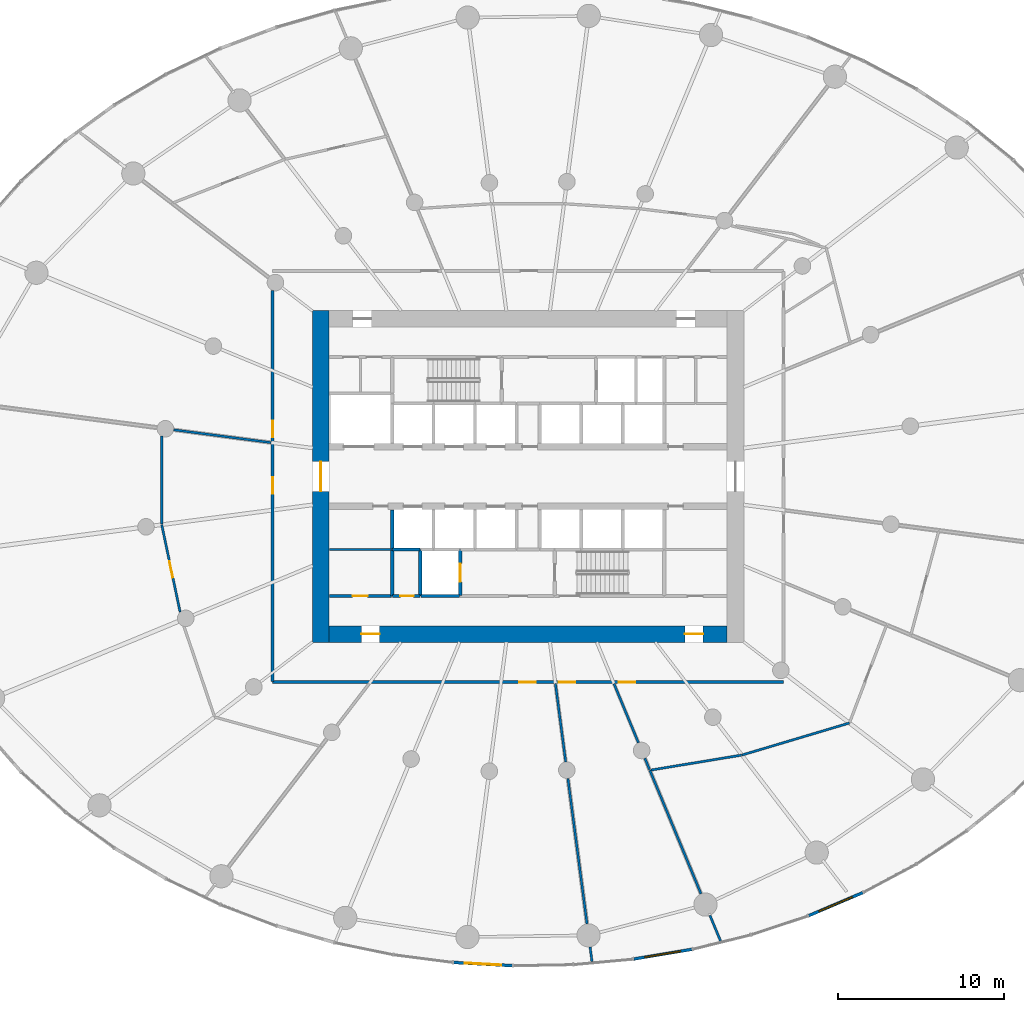
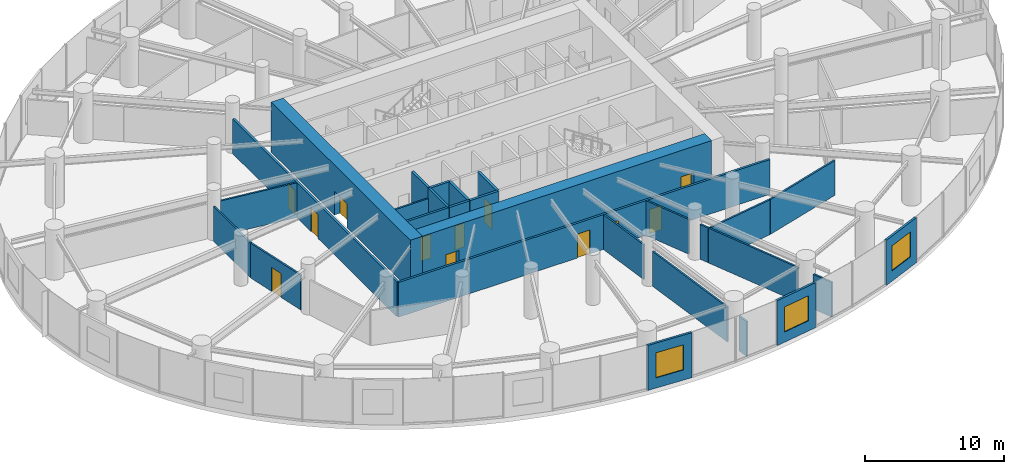
# One storey, part 11 of 19: 28 walls, 12 doors, 3 windows, 15 openings.
"""IFC4 building model written with IfcOpenShell, lengths in metres."""

from ifc_helpers import new_model, si_unit, direction, frame, frame_2d, origin, place, context, subcontext, project, spatial, rectangle, extrude, source, transform, mapped, material, layer, layer_set, type_object, element, fill, save


model = new_model("IFC4")

# Units and contexts
model_context = context("Model", 3, precision=1e-05, world=origin(), true_north=direction((0.0, 1.0)))
body_context = subcontext(model_context, "Body", "Model", "MODEL_VIEW")
ifc_project = project(units=[si_unit("LENGTHUNIT", "METRE"), si_unit("AREAUNIT", "SQUARE_METRE"), si_unit("VOLUMEUNIT", "CUBIC_METRE"), si_unit("PLANEANGLEUNIT", "RADIAN"), si_unit("MASSUNIT", "GRAM", prefix="KILO")], contexts=[model_context])

# Site, building, storey
site_placement = place(None, origin())
site = spatial("IfcSite", under=ifc_project, at=site_placement, CompositionType="ELEMENT")
building_placement = place(site_placement, origin())
building = spatial("IfcBuilding", under=site, at=building_placement, Name="Spindrift Exchange Tower", CompositionType="ELEMENT")
storey_placement = place(building_placement, frame((0.0, 0.0, 22.60009765625)))
storey = spatial("IfcBuildingStorey", under=building, at=storey_placement, Name="L05", CompositionType="ELEMENT", Elevation=22.60009765625)

# Wall, opening, door
ifc_material_1 = material(Name="Concrete 80 MPa", Category="concrete")
ifc_layer_1 = layer(ifc_material_1, 1.0)
ifc_layer_set_1 = layer_set([ifc_layer_1], Name="RC Core Wall 1000 Concrete 80 MPa")
wall_type_1 = type_object("IfcWallType", Name="RC Core Wall 1000 Concrete 80 MPa", PredefinedType="SHEAR", material=ifc_layer_set_1)
wall_1_placement = place(storey_placement, frame((39.5, 58.0, 0.0), z_axis=(0.0, 0.0, 1.0), x_axis=(0.0, -1.0, 0.0)))
wall_1 = element("IfcWall", 1, at=wall_1_placement, inside=storey, type_object=wall_type_1, Name="Core wall W L05", PredefinedType="SHEAR", context=body_context, shape_type="SweptSolid", body=[
    extrude(rectangle(XDim=20.0, YDim=1.0, at=frame_2d((10.0, 0.0))), origin(), (0.0, 0.0, 1.0), 4.39990234375),
])
opening_1_placement = place(wall_1_placement, frame((9.10009765625, 0.0, 0.0)))
opening_1 = element("IfcOpeningElement", 2, at=opening_1_placement, cuts=wall_1, Name="Opening L05-D1", PredefinedType="OPENING", context=body_context, shape_type="SweptSolid", body=[
    extrude(rectangle(XDim=1.800048828125, YDim=2.10009765625, at=frame_2d((0.89990234375, 1.050048828125))), frame((0.0, 0.510009765625, 0.0), z_axis=(0.0, -1.0, 0.0), x_axis=(1.0, 0.0, 0.0)), (0.0, 0.0, 1.0), 1.02001953125),
])
ifc_material_2 = material(Name="Timber-core fire door", Category="wood")
door_type_1 = type_object("IfcDoorType", Name="DR-LOBBY-1800", OperationType="NOTDEFINED", PredefinedType="DOOR", material=ifc_material_2)
shared_shape_1 = source(origin(), body_context, "Body", "SweptSolid", [
    extrude(rectangle(XDim=1.800048828125, YDim=2.10009765625, at=frame_2d((0.89990234375, 1.050048828125))), frame((0.0, 0.02490234375, 0.0), z_axis=(0.0, -1.0, 0.0), x_axis=(1.0, 0.0, 0.0)), (0.0, 0.0, 1.0), 0.050048828125),
])
door_1_placement = place(opening_1_placement, origin())
door_1 = element("IfcDoor", 3, at=door_1_placement, inside=storey, type_object=door_type_1, Name="L05 Lobby door 1", OperationType="SINGLE_SWING_RIGHT", OverallHeight=2.10009765625, OverallWidth=1.800048828125, PredefinedType="DOOR", context=body_context, shape_type="MappedRepresentation", body=[
    mapped(shared_shape_1, transform((0.0, 0.0, 0.0), scale=1.0)),
])
fill(opening_1, door_1)

# Wall, openings, doors
wall_2_placement = place(storey_placement, frame((40.0, 38.5, 0.0), z_axis=(0.0, 0.0, 1.0), x_axis=(1.0, 0.0, 0.0)))
wall_2 = element("IfcWall", 4, at=wall_2_placement, inside=storey, type_object=wall_type_1, Name="Core wall S L05", PredefinedType="SHEAR", context=body_context, shape_type="SweptSolid", body=[
    extrude(rectangle(XDim=24.0, YDim=1.0, at=frame_2d((12.0, 0.0))), origin(), (0.0, 0.0, 1.0), 4.39990234375),
])
opening_2_placement = place(wall_2_placement, frame((21.449951171875, 0.0, 0.0)))
opening_2 = element("IfcOpeningElement", 5, at=opening_2_placement, cuts=wall_2, Name="Opening L05-D22", PredefinedType="OPENING", context=body_context, shape_type="SweptSolid", body=[
    extrude(rectangle(XDim=1.10009765625, YDim=2.10009765625, at=frame_2d((0.550048828125, 1.050048828125))), frame((0.0, 0.510009765625, 0.0), z_axis=(0.0, -1.0, 0.0), x_axis=(1.0, 0.0, 0.0)), (0.0, 0.0, 1.0), 1.02001953125),
])
opening_3_placement = place(wall_2_placement, frame((1.949951171875, 0.0, 0.0)))
opening_3 = element("IfcOpeningElement", 6, at=opening_3_placement, cuts=wall_2, Name="Opening L05-D23", PredefinedType="OPENING", context=body_context, shape_type="SweptSolid", body=[
    extrude(rectangle(XDim=1.10009765625, YDim=2.10009765625, at=frame_2d((0.550048828125, 1.050048828125))), frame((0.0, 0.510009765625, 0.0), z_axis=(0.0, -1.0, 0.0), x_axis=(1.0, 0.0, 0.0)), (0.0, 0.0, 1.0), 1.02001953125),
])
ifc_material_3 = material(Name="Steel fire door", Category="steel")
door_type_2 = type_object("IfcDoorType", Name="DR-STAIR-1100", OperationType="NOTDEFINED", PredefinedType="DOOR", material=ifc_material_3)
shared_shape_2 = source(origin(), body_context, "Body", "SweptSolid", [
    extrude(rectangle(XDim=1.10009765625, YDim=2.10009765625, at=frame_2d((0.550048828125, 1.050048828125))), frame((0.0, 0.02490234375, 0.0), z_axis=(0.0, -1.0, 0.0), x_axis=(1.0, 0.0, 0.0)), (0.0, 0.0, 1.0), 0.050048828125),
])
door_2_placement = place(opening_2_placement, origin())
door_2 = element("IfcDoor", 7, at=door_2_placement, inside=storey, type_object=door_type_2, Name="L05 Stair door 22", OperationType="SINGLE_SWING_LEFT", OverallHeight=2.10009765625, OverallWidth=1.10009765625, PredefinedType="DOOR", context=body_context, shape_type="MappedRepresentation", body=[
    mapped(shared_shape_2, transform((0.0, 0.0, 0.0), scale=1.0)),
])
fill(opening_2, door_2)
door_3_placement = place(opening_3_placement, origin())
door_3 = element("IfcDoor", 8, at=door_3_placement, inside=storey, type_object=door_type_2, Name="L05 Stair door 23", OperationType="SINGLE_SWING_RIGHT", OverallHeight=2.10009765625, OverallWidth=1.10009765625, PredefinedType="DOOR", context=body_context, shape_type="MappedRepresentation", body=[
    mapped(shared_shape_2, transform((0.0, 0.0, 0.0), scale=1.0)),
])
fill(opening_3, door_3)

# Wall, opening, window
ifc_material_4 = material(Name="Bronze anodised aluminium frame with fritted laminated glass spandrel", Category="aluminium")
ifc_layer_2 = layer(ifc_material_4, 0.179931640625)
ifc_layer_set_2 = layer_set([ifc_layer_2], Name="UNITISED FRAME WALL")
wall_type_2 = type_object("IfcWallType", Name="UNITISED FRAME WALL", PredefinedType="STANDARD", material=ifc_layer_set_2)
wall_3_placement = place(storey_placement, frame((47.510986328125, 18.7041015625, 0.0), z_axis=(0.0, 0.0, 1.0), x_axis=(0.99850950861, -0.054578028696, 0.0)))
wall_3 = element("IfcWall", 9, at=wall_3_placement, inside=storey, type_object=wall_type_2, Name="L05 Frame Wall 44", PredefinedType="STANDARD", context=body_context, shape_type="SweptSolid", body=[
    extrude(rectangle(XDim=3.54736328125, YDim=0.179931640625, at=frame_2d((1.773681640625, 0.0))), origin(), (0.0, 0.0, 1.0), 3.949951171875),
])
opening_4_placement = place(wall_3_placement, frame((0.673583984375, 0.0, 0.89990234375)))
opening_4 = element("IfcOpeningElement", 10, at=opening_4_placement, cuts=wall_3, Name="Opening WV05-15", PredefinedType="OPENING", context=body_context, shape_type="SweptSolid", body=[
    extrude(rectangle(XDim=2.199951171875, YDim=2.199951171875, at=frame_2d((1.10009765625, 1.10009765625))), frame((0.0, 0.099853515625, 0.0), z_axis=(0.0, -1.0, 0.0), x_axis=(1.0, 0.0, 0.0)), (0.0, 0.0, 1.0), 0.199951171875),
])
ifc_material_5 = material(Name="Clear laminated low-iron glass in bronze frame", Category="glass")
window_type = type_object("IfcWindowType", Name="OPERABLE CLEAR VENT 2200X2200", PartitioningType="SINGLE_PANEL", PredefinedType="WINDOW", material=ifc_material_5)
shared_shape_3 = source(origin(), body_context, "Body", "SweptSolid", [
    extrude(rectangle(XDim=2.199951171875, YDim=2.199951171875, at=frame_2d((1.10009765625, 1.10009765625))), frame((0.0, 0.030029296875, 0.0), z_axis=(0.0, -1.0, 0.0), x_axis=(1.0, 0.0, 0.0)), (0.0, 0.0, 1.0), 0.06005859375),
])
window_1_placement = place(opening_4_placement, origin())
window_1 = element("IfcWindow", 11, at=window_1_placement, inside=storey, type_object=window_type, Name="L05 Operable Vent WV05-15", OverallHeight=2.199951171875, OverallWidth=2.199951171875, PartitioningType="SINGLE_PANEL", PredefinedType="WINDOW", context=body_context, shape_type="MappedRepresentation", body=[
    mapped(shared_shape_3, transform((0.0, 0.0, 0.0), scale=1.0)),
])
fill(opening_4, window_1)

wall_4_placement = place(storey_placement, frame((58.37158203125, 18.91162109375, 0.0), z_axis=(0.0, 0.0, 1.0), x_axis=(0.986367870411, 0.164555231521, 0.0)))
wall_4 = element("IfcWall", 12, at=wall_4_placement, inside=storey, type_object=wall_type_2, Name="L05 Frame Wall 47", PredefinedType="STANDARD", context=body_context, shape_type="SweptSolid", body=[
    extrude(rectangle(XDim=3.54736328125, YDim=0.179931640625, at=frame_2d((1.773681640625, 0.0))), origin(), (0.0, 0.0, 1.0), 3.949951171875),
])
opening_5_placement = place(wall_4_placement, frame((0.673583984375, 0.0, 0.89990234375)))
opening_5 = element("IfcOpeningElement", 13, at=opening_5_placement, cuts=wall_4, Name="Opening WV05-16", PredefinedType="OPENING", context=body_context, shape_type="SweptSolid", body=[
    extrude(rectangle(XDim=2.199951171875, YDim=2.199951171875, at=frame_2d((1.10009765625, 1.10009765625))), frame((0.0, 0.099853515625, 0.0), z_axis=(0.0, -1.0, 0.0), x_axis=(1.0, 0.0, 0.0)), (0.0, 0.0, 1.0), 0.199951171875),
])
window_2_placement = place(opening_5_placement, origin())
window_2 = element("IfcWindow", 14, at=window_2_placement, inside=storey, type_object=window_type, Name="L05 Operable Vent WV05-16", OverallHeight=2.199951171875, OverallWidth=2.199951171875, PartitioningType="SINGLE_PANEL", PredefinedType="WINDOW", context=body_context, shape_type="MappedRepresentation", body=[
    mapped(shared_shape_3, transform((0.0, 0.0, 0.0), scale=1.0)),
])
fill(opening_5, window_2)

wall_5_placement = place(storey_placement, frame((68.912109375, 21.525390625, 0.0), z_axis=(0.0, 0.0, 1.0), x_axis=(0.920153052776, 0.391558883779, 0.0)))
wall_5 = element("IfcWall", 15, at=wall_5_placement, inside=storey, type_object=wall_type_2, Name="L05 Frame Wall 50", PredefinedType="STANDARD", context=body_context, shape_type="SweptSolid", body=[
    extrude(rectangle(XDim=3.547119140625, YDim=0.179931640625, at=frame_2d((1.7734375, 0.0))), origin(), (0.0, 0.0, 1.0), 3.949951171875),
])
opening_6_placement = place(wall_5_placement, frame((0.673583984375, 0.0, 0.89990234375)))
opening_6 = element("IfcOpeningElement", 16, at=opening_6_placement, cuts=wall_5, Name="Opening WV05-17", PredefinedType="OPENING", context=body_context, shape_type="SweptSolid", body=[
    extrude(rectangle(XDim=2.199951171875, YDim=2.199951171875, at=frame_2d((1.10009765625, 1.10009765625))), frame((0.0, 0.099853515625, 0.0), z_axis=(0.0, -1.0, 0.0), x_axis=(1.0, 0.0, 0.0)), (0.0, 0.0, 1.0), 0.199951171875),
])
window_3_placement = place(opening_6_placement, origin())
window_3 = element("IfcWindow", 17, at=window_3_placement, inside=storey, type_object=window_type, Name="L05 Operable Vent WV05-17", OverallHeight=2.199951171875, OverallWidth=2.199951171875, PartitioningType="SINGLE_PANEL", PredefinedType="WINDOW", context=body_context, shape_type="MappedRepresentation", body=[
    mapped(shared_shape_3, transform((0.0, 0.0, 0.0), scale=1.0)),
])
fill(opening_6, window_3)

# Wall, opening, door
ifc_material_6 = material(Name="Fire-rated plasterboard partition", Category="gypsum")
ifc_layer_3 = layer(ifc_material_6, 0.179931640625)
ifc_layer_set_3 = layer_set([ifc_layer_3], Name="W-CORR-180")
wall_type_3 = type_object("IfcWallType", Name="W-CORR-180", PredefinedType="PARTITIONING", material=ifc_layer_set_3)
wall_6_placement = place(storey_placement, frame((40.02001953125, 40.800048828125, 0.0), z_axis=(0.0, 0.0, 1.0), x_axis=(1.0, 0.0, 0.0)))
wall_6 = element("IfcWall", 18, at=wall_6_placement, inside=storey, type_object=wall_type_3, Name="L05 Partition wall 61", PredefinedType="PARTITIONING", context=body_context, shape_type="SweptSolid", body=[
    extrude(rectangle(XDim=3.75, YDim=0.179931640625, at=frame_2d((1.875, 0.0))), origin(), (0.0, 0.0, 1.0), 3.949951171875),
])
opening_7_placement = place(wall_6_placement, frame((1.39990234375, 0.0, 0.0)))
opening_7 = element("IfcOpeningElement", 19, at=opening_7_placement, cuts=wall_6, Name="Opening L05-D46", PredefinedType="OPENING", context=body_context, shape_type="SweptSolid", body=[
    extrude(rectangle(XDim=0.89990234375, YDim=2.10009765625, at=frame_2d((0.449951171875, 1.050048828125))), frame((0.0, 0.099853515625, 0.0), z_axis=(0.0, -1.0, 0.0), x_axis=(1.0, 0.0, 0.0)), (0.0, 0.0, 1.0), 0.199951171875),
])
ifc_material_7 = material(Name="Steel access door", Category="steel")
door_type_3 = type_object("IfcDoorType", Name="DR-RISER-900", OperationType="NOTDEFINED", PredefinedType="DOOR", material=ifc_material_7)
shared_shape_4 = source(origin(), body_context, "Body", "SweptSolid", [
    extrude(rectangle(XDim=0.89990234375, YDim=2.10009765625, at=frame_2d((0.449951171875, 1.050048828125))), frame((0.0, 0.02490234375, 0.0), z_axis=(0.0, -1.0, 0.0), x_axis=(1.0, 0.0, 0.0)), (0.0, 0.0, 1.0), 0.050048828125),
])
door_4_placement = place(opening_7_placement, origin())
door_4 = element("IfcDoor", 20, at=door_4_placement, inside=storey, type_object=door_type_3, Name="L05 Riser door 46", OperationType="SINGLE_SWING_LEFT", OverallHeight=2.10009765625, OverallWidth=0.89990234375, PredefinedType="DOOR", context=body_context, shape_type="MappedRepresentation", body=[
    mapped(shared_shape_4, transform((0.0, 0.0, 0.0), scale=1.0)),
])
fill(opening_7, door_4)

# Walls
ifc_layer_4 = layer(ifc_material_6, 0.139892578125)
ifc_layer_set_4 = layer_set([ifc_layer_4], Name="W-PART-140")
wall_type_4 = type_object("IfcWallType", Name="W-PART-140", PredefinedType="PARTITIONING", material=ifc_layer_set_4)
wall_7_placement = place(storey_placement, frame((43.77001953125, 43.60009765625, 0.0), z_axis=(0.0, 0.0, 1.0), x_axis=(-1.0, 0.0, 0.0)))
element("IfcWall", 21, at=wall_7_placement, inside=storey, type_object=wall_type_4, Name="L05 Partition wall 101", PredefinedType="PARTITIONING", context=body_context, shape_type="SweptSolid", body=[
    extrude(rectangle(XDim=3.75, YDim=0.139892578125, at=frame_2d((1.875, 0.0))), origin(), (0.0, 0.0, 1.0), 3.0498046875),
])
ifc_layer_5 = layer(ifc_material_6, 0.139892578125)
ifc_layer_set_5 = layer_set([ifc_layer_5], Name="W-PLANT-140")
wall_type_5 = type_object("IfcWallType", Name="W-PLANT-140", PredefinedType="PARTITIONING", material=ifc_layer_set_5)
wall_8_placement = place(storey_placement, frame((54.396484375, 29.796630859375, 0.0), z_axis=(0.0, 0.0, 1.0), x_axis=(0.130534568438, -0.991443758588, 0.0)))
element("IfcWall", 22, at=wall_8_placement, inside=storey, type_object=wall_type_5, Name="L05 Partition wall 69", PredefinedType="PARTITIONING", context=body_context, shape_type="SweptSolid", body=[
    extrude(rectangle(XDim=8.83544921875, YDim=0.139892578125, at=frame_2d((4.417724609375, 0.0))), origin(), (0.0, 0.0, 1.0), 3.0498046875),
])
wall_9_placement = place(storey_placement, frame((59.335205078125, 30.291259765625, 0.0), z_axis=(0.0, 0.0, 1.0), x_axis=(0.38267718825, -0.923882118884, 0.0)))
element("IfcWall", 23, at=wall_9_placement, inside=storey, type_object=wall_type_5, Name="L05 Partition wall 73", PredefinedType="PARTITIONING", context=body_context, shape_type="SweptSolid", body=[
    extrude(rectangle(XDim=8.062255859375, YDim=0.139892578125, at=frame_2d((4.03125, 0.0))), origin(), (0.0, 0.0, 1.0), 3.0498046875),
])
wall_10_placement = place(storey_placement, frame((64.88623046875, 31.206298828125, 0.0), z_axis=(0.0, 0.0, 1.0), x_axis=(0.958287066923, 0.285807448063, 0.0)))
element("IfcWall", 24, at=wall_10_placement, inside=storey, type_object=wall_type_5, Name="L05 Partition wall 76", PredefinedType="PARTITIONING", context=body_context, shape_type="SweptSolid", body=[
    extrude(rectangle(XDim=6.7626953125, YDim=0.139892578125, at=frame_2d((3.38134765625, 0.0))), origin(), (0.0, 0.0, 1.0), 3.0498046875),
])
wall_11_placement = place(storey_placement, frame((36.510009765625, 50.039306640625, 0.0), z_axis=(0.0, 0.0, 1.0), x_axis=(-0.991445034615, 0.130524876315, 0.0)))
element("IfcWall", 25, at=wall_11_placement, inside=storey, type_object=wall_type_5, Name="L05 Partition wall 83", PredefinedType="PARTITIONING", context=body_context, shape_type="SweptSolid", body=[
    extrude(rectangle(XDim=5.923828125, YDim=0.139892578125, at=frame_2d((2.9619140625, 0.0))), origin(), (0.0, 0.0, 1.0), 3.0498046875),
])
wall_12_placement = place(storey_placement, frame((59.40625, 30.302978515625, 0.0), z_axis=(0.0, 0.0, 1.0), x_axis=(0.986685012905, 0.162642815117, 0.0)))
element("IfcWall", 26, at=wall_12_placement, inside=storey, type_object=wall_type_5, Name="L05 Partition wall 87", PredefinedType="PARTITIONING", context=body_context, shape_type="SweptSolid", body=[
    extrude(rectangle(XDim=5.52392578125, YDim=0.139892578125, at=frame_2d((2.761962890625, 0.0))), origin(), (0.0, 0.0, 1.0), 3.0498046875),
])

# Wall, opening, door
wall_13_placement = place(storey_placement, frame((31.022216796875, 39.82470703125, 0.0), z_axis=(0.0, 0.0, 1.0), x_axis=(-0.205996766631, 0.978552672133, 0.0)))
wall_13 = element("IfcWall", 27, at=wall_13_placement, inside=storey, type_object=wall_type_5, Name="L05 Partition wall 88", PredefinedType="PARTITIONING", context=body_context, shape_type="SweptSolid", body=[
    extrude(rectangle(XDim=5.383056640625, YDim=0.139892578125, at=frame_2d((2.69140625, 0.0))), origin(), (0.0, 0.0, 1.0), 3.0498046875),
])
opening_8_placement = place(wall_13_placement, frame((2.1328125, 0.0, 0.0)))
opening_8 = element("IfcOpeningElement", 28, at=opening_8_placement, cuts=wall_13, Name="Opening L05-D37", PredefinedType="OPENING", context=body_context, shape_type="SweptSolid", body=[
    extrude(rectangle(XDim=1.0, YDim=2.10009765625, at=frame_2d((0.5, 1.050048828125))), frame((0.0, 0.079833984375, 0.0), z_axis=(0.0, -1.0, 0.0), x_axis=(1.0, 0.0, 0.0)), (0.0, 0.0, 1.0), 0.159912109375),
])
door_type_4 = type_object("IfcDoorType", Name="DR-ROOM-1000", OperationType="NOTDEFINED", PredefinedType="DOOR", material=ifc_material_2)
shared_shape_5 = source(origin(), body_context, "Body", "SweptSolid", [
    extrude(rectangle(XDim=1.0, YDim=2.10009765625, at=frame_2d((0.5, 1.050048828125))), frame((0.0, 0.02490234375, 0.0), z_axis=(0.0, -1.0, 0.0), x_axis=(1.0, 0.0, 0.0)), (0.0, 0.0, 1.0), 0.050048828125),
])
door_5_placement = place(opening_8_placement, origin())
door_5 = element("IfcDoor", 29, at=door_5_placement, inside=storey, type_object=door_type_4, Name="L05 Door 37", OperationType="SINGLE_SWING_RIGHT", OverallHeight=2.10009765625, OverallWidth=1.0, PredefinedType="DOOR", context=body_context, shape_type="MappedRepresentation", body=[
    mapped(shared_shape_5, transform((0.0, 0.0, 0.0), scale=1.0)),
])
fill(opening_8, door_5)

# Walls
wall_14_placement = place(storey_placement, frame((29.913330078125, 50.426025390625, 0.0), z_axis=(0.0, 0.0, 1.0), x_axis=(0.0, -1.0, 0.0)))
element("IfcWall", 30, at=wall_14_placement, inside=storey, type_object=wall_type_5, Name="L05 Partition wall 89", PredefinedType="PARTITIONING", context=body_context, shape_type="SweptSolid", body=[
    extrude(rectangle(XDim=5.3037109375, YDim=0.139892578125, at=frame_2d((2.65185546875, 0.0))), origin(), (0.0, 0.0, 1.0), 3.0498046875),
])
wall_15_placement = place(storey_placement, frame((53.644287109375, 35.510009765625, 0.0), z_axis=(0.0, 0.0, 1.0), x_axis=(0.130548834981, -0.991441880135, 0.0)))
element("IfcWall", 31, at=wall_15_placement, inside=storey, type_object=wall_type_5, Name="L05 Partition wall 91", PredefinedType="PARTITIONING", context=body_context, shape_type="SweptSolid", body=[
    extrude(rectangle(XDim=4.75390625, YDim=0.139892578125, at=frame_2d((2.376953125, 0.0))), origin(), (0.0, 0.0, 1.0), 3.0498046875),
])
wall_16_placement = place(storey_placement, frame((57.173583984375, 35.510009765625, 0.0), z_axis=(0.0, 0.0, 1.0), x_axis=(0.382644558062, -0.923895633817, 0.0)))
element("IfcWall", 32, at=wall_16_placement, inside=storey, type_object=wall_type_5, Name="L05 Partition wall 97", PredefinedType="PARTITIONING", context=body_context, shape_type="SweptSolid", body=[
    extrude(rectangle(XDim=3.854248046875, YDim=0.139892578125, at=frame_2d((1.92724609375, 0.0))), origin(), (0.0, 0.0, 1.0), 3.0498046875),
])
wall_17_placement = place(storey_placement, frame((62.960205078125, 21.5400390625, 0.0), z_axis=(0.0, 0.0, 1.0), x_axis=(0.382571117301, -0.923926046936, 0.0)))
element("IfcWall", 33, at=wall_17_placement, inside=storey, type_object=wall_type_5, Name="L05 Partition wall 119", PredefinedType="PARTITIONING", context=body_context, shape_type="SweptSolid", body=[
    extrude(rectangle(XDim=1.67138671875, YDim=0.139892578125, at=frame_2d((0.835693359375, 0.0))), origin(), (0.0, 0.0, 1.0), 3.0498046875),
])
wall_18_placement = place(storey_placement, frame((55.733642578125, 19.640380859375, 0.0), z_axis=(0.0, 0.0, 1.0), x_axis=(0.130632362566, -0.991430877999, 0.0)))
element("IfcWall", 34, at=wall_18_placement, inside=storey, type_object=wall_type_5, Name="L05 Partition wall 122", PredefinedType="PARTITIONING", context=body_context, shape_type="SweptSolid", body=[
    extrude(rectangle(XDim=0.8876953125, YDim=0.139892578125, at=frame_2d((0.44384765625, 0.0))), origin(), (0.0, 0.0, 1.0), 3.0498046875),
])
wall_19_placement = place(storey_placement, frame((59.034912109375, 31.015869140625, 0.0), z_axis=(0.0, 0.0, 1.0), x_axis=(0.382799508823, -0.923831443525, 0.0)))
element("IfcWall", 35, at=wall_19_placement, inside=storey, type_object=wall_type_5, Name="L05 Partition wall 127", PredefinedType="PARTITIONING", context=body_context, shape_type="SweptSolid", body=[
    extrude(rectangle(XDim=0.75439453125, YDim=0.139892578125, at=frame_2d((0.377197265625, 0.0))), origin(), (0.0, 0.0, 1.0), 3.0498046875),
])

# Wall, openings, doors
ifc_layer_6 = layer(ifc_material_6, 0.179931640625)
ifc_layer_set_6 = layer_set([ifc_layer_6], Name="W-PLANT-180")
wall_type_6 = type_object("IfcWallType", Name="W-PLANT-180", PredefinedType="PARTITIONING", material=ifc_layer_set_6)
wall_20_placement = place(storey_placement, frame((67.39990234375, 35.60009765625, 0.0), z_axis=(0.0, 0.0, 1.0), x_axis=(-1.0, 0.0, 0.0)))
wall_20 = element("IfcWall", 36, at=wall_20_placement, inside=storey, type_object=wall_type_6, Name="L05 Partition wall 57", PredefinedType="PARTITIONING", context=body_context, shape_type="SweptSolid", body=[
    extrude(rectangle(XDim=30.7998046875, YDim=0.179931640625, at=frame_2d((15.39990234375, 0.0))), origin(), (0.0, 0.0, 1.0), 3.0498046875),
])
opening_9_placement = place(wall_20_placement, frame((14.949951171875, 0.0, 0.0)))
opening_9 = element("IfcOpeningElement", 37, at=opening_9_placement, cuts=wall_20, Name="Opening L05-D38", PredefinedType="OPENING", context=body_context, shape_type="SweptSolid", body=[
    extrude(rectangle(XDim=1.0, YDim=2.10009765625, at=frame_2d((0.5, 1.050048828125))), frame((0.0, 0.099853515625, 0.0), z_axis=(0.0, -1.0, 0.0), x_axis=(1.0, 0.0, 0.0)), (0.0, 0.0, 1.0), 0.199951171875),
])
opening_10_placement = place(wall_20_placement, frame((12.550048828125, 0.0, 0.0)))
opening_10 = element("IfcOpeningElement", 38, at=opening_10_placement, cuts=wall_20, Name="Opening L05-D39", PredefinedType="OPENING", context=body_context, shape_type="SweptSolid", body=[
    extrude(rectangle(XDim=1.0, YDim=2.10009765625, at=frame_2d((0.5, 1.050048828125))), frame((0.0, 0.099853515625, 0.0), z_axis=(0.0, -1.0, 0.0), x_axis=(1.0, 0.0, 0.0)), (0.0, 0.0, 1.0), 0.199951171875),
])
opening_11_placement = place(wall_20_placement, frame((8.949951171875, 0.0, 0.0)))
opening_11 = element("IfcOpeningElement", 39, at=opening_11_placement, cuts=wall_20, Name="Opening L05-D40", PredefinedType="OPENING", context=body_context, shape_type="SweptSolid", body=[
    extrude(rectangle(XDim=1.0, YDim=2.10009765625, at=frame_2d((0.5, 1.050048828125))), frame((0.0, 0.099853515625, 0.0), z_axis=(0.0, -1.0, 0.0), x_axis=(1.0, 0.0, 0.0)), (0.0, 0.0, 1.0), 0.199951171875),
])
door_6_placement = place(opening_9_placement, origin())
door_6 = element("IfcDoor", 40, at=door_6_placement, inside=storey, type_object=door_type_4, Name="L05 Door 38", OperationType="SINGLE_SWING_LEFT", OverallHeight=2.10009765625, OverallWidth=1.0, PredefinedType="DOOR", context=body_context, shape_type="MappedRepresentation", body=[
    mapped(shared_shape_5, transform((0.0, 0.0, 0.0), scale=1.0)),
])
fill(opening_9, door_6)
door_7_placement = place(opening_10_placement, origin())
door_7 = element("IfcDoor", 41, at=door_7_placement, inside=storey, type_object=door_type_4, Name="L05 Door 39", OperationType="SINGLE_SWING_RIGHT", OverallHeight=2.10009765625, OverallWidth=1.0, PredefinedType="DOOR", context=body_context, shape_type="MappedRepresentation", body=[
    mapped(shared_shape_5, transform((0.0, 0.0, 0.0), scale=1.0)),
])
fill(opening_10, door_7)
door_8_placement = place(opening_11_placement, origin())
door_8 = element("IfcDoor", 42, at=door_8_placement, inside=storey, type_object=door_type_4, Name="L05 Door 40", OperationType="SINGLE_SWING_LEFT", OverallHeight=2.10009765625, OverallWidth=1.0, PredefinedType="DOOR", context=body_context, shape_type="MappedRepresentation", body=[
    mapped(shared_shape_5, transform((0.0, 0.0, 0.0), scale=1.0)),
])
fill(opening_11, door_8)

wall_21_placement = place(storey_placement, frame((36.60009765625, 35.6298828125, 0.0), z_axis=(0.0, 0.0, 1.0), x_axis=(0.0, 1.0, 0.0)))
wall_21 = element("IfcWall", 43, at=wall_21_placement, inside=storey, type_object=wall_type_6, Name="L05 Partition wall 60", PredefinedType="PARTITIONING", context=body_context, shape_type="SweptSolid", body=[
    extrude(rectangle(XDim=23.58251953125, YDim=0.179931640625, at=frame_2d((11.791259765625, 0.0))), origin(), (0.0, 0.0, 1.0), 3.0498046875),
])
opening_12_placement = place(wall_21_placement, frame((14.732421875, 0.0, 0.0)))
opening_12 = element("IfcOpeningElement", 44, at=opening_12_placement, cuts=wall_21, Name="Opening L05-D35", PredefinedType="OPENING", context=body_context, shape_type="SweptSolid", body=[
    extrude(rectangle(XDim=1.0, YDim=2.10009765625, at=frame_2d((0.5, 1.050048828125))), frame((0.0, 0.099853515625, 0.0), z_axis=(0.0, -1.0, 0.0), x_axis=(1.0, 0.0, 0.0)), (0.0, 0.0, 1.0), 0.199951171875),
])
opening_13_placement = place(wall_21_placement, frame((11.33251953125, 0.0, 0.0)))
opening_13 = element("IfcOpeningElement", 45, at=opening_13_placement, cuts=wall_21, Name="Opening L05-D36", PredefinedType="OPENING", context=body_context, shape_type="SweptSolid", body=[
    extrude(rectangle(XDim=1.0, YDim=2.10009765625, at=frame_2d((0.5, 1.050048828125))), frame((0.0, 0.099853515625, 0.0), z_axis=(0.0, -1.0, 0.0), x_axis=(1.0, 0.0, 0.0)), (0.0, 0.0, 1.0), 0.199951171875),
])
door_9_placement = place(opening_12_placement, origin())
door_9 = element("IfcDoor", 46, at=door_9_placement, inside=storey, type_object=door_type_4, Name="L05 Door 35", OperationType="SINGLE_SWING_RIGHT", OverallHeight=2.10009765625, OverallWidth=1.0, PredefinedType="DOOR", context=body_context, shape_type="MappedRepresentation", body=[
    mapped(shared_shape_5, transform((0.0, 0.0, 0.0), scale=1.0)),
])
fill(opening_12, door_9)
door_10_placement = place(opening_13_placement, origin())
door_10 = element("IfcDoor", 47, at=door_10_placement, inside=storey, type_object=door_type_4, Name="L05 Door 36", OperationType="SINGLE_SWING_LEFT", OverallHeight=2.10009765625, OverallWidth=1.0, PredefinedType="DOOR", context=body_context, shape_type="MappedRepresentation", body=[
    mapped(shared_shape_5, transform((0.0, 0.0, 0.0), scale=1.0)),
])
fill(opening_13, door_10)

# Walls
ifc_material_8 = material(Name="Concrete 40 MPa", Category="concrete")
ifc_layer_7 = layer(ifc_material_8, 0.199951171875)
ifc_layer_set_7 = layer_set([ifc_layer_7], Name="W-SHAFT-200")
wall_type_7 = type_object("IfcWallType", Name="W-SHAFT-200", PredefinedType="SOLIDWALL", material=ifc_layer_set_7)
for number, where, z_axis, x_axis, name in (
    (48, (43.800048828125, 43.60009765625, 0.0), (0.0, 0.0, 1.0), (0.0, -1.0, 0.0), "L05 Shaft wall 6"),
    (49, (45.5, 43.60009765625, 0.0), (0.0, 0.0, 1.0), (0.0, -1.0, 0.0), "L05 Shaft wall 7"),
):
    element("IfcWall", number, at=place(storey_placement, frame(where, z_axis=z_axis, x_axis=x_axis)), inside=storey, type_object=wall_type_7, Name=name, PredefinedType="SOLIDWALL", context=body_context, shape_type="SweptSolid", body=[
        extrude(rectangle(XDim=2.800048828125, YDim=0.199951171875, at=frame_2d((1.39990234375, 0.0))), origin(), (0.0, 0.0, 1.0), 3.949951171875),
    ])

# Wall, opening, door
wall_22_placement = place(storey_placement, frame((47.89990234375, 40.830078125, 0.0), z_axis=(0.0, 0.0, 1.0), x_axis=(0.0, 1.0, 0.0)))
wall_22 = element("IfcWall", 50, at=wall_22_placement, inside=storey, type_object=wall_type_7, Name="L05 Shaft wall 8", PredefinedType="SOLIDWALL", context=body_context, shape_type="SweptSolid", body=[
    extrude(rectangle(XDim=2.77001953125, YDim=0.199951171875, at=frame_2d((1.385009765625, 0.0))), origin(), (0.0, 0.0, 1.0), 3.949951171875),
])
opening_14_placement = place(wall_22_placement, frame((0.820068359375, 0.0, 0.0)))
opening_14 = element("IfcOpeningElement", 51, at=opening_14_placement, cuts=wall_22, Name="Opening L05-D10", PredefinedType="OPENING", context=body_context, shape_type="SweptSolid", body=[
    extrude(rectangle(XDim=1.10009765625, YDim=2.10009765625, at=frame_2d((0.550048828125, 1.050048828125))), frame((0.0, 0.10986328125, 0.0), z_axis=(0.0, -1.0, 0.0), x_axis=(1.0, 0.0, 0.0)), (0.0, 0.0, 1.0), 0.219970703125),
])
ifc_material_9 = material(Name="Stainless steel landing door", Category="steel")
door_type_5 = type_object("IfcDoorType", Name="DR-LANDING-1100-SL", OperationType="DOUBLE_DOOR_SLIDING", PredefinedType="USERDEFINED", material=ifc_material_9)
shared_shape_6 = source(origin(), body_context, "Body", "SweptSolid", [
    extrude(rectangle(XDim=1.10009765625, YDim=2.10009765625, at=frame_2d((0.550048828125, 1.050048828125))), frame((0.0, 0.02490234375, 0.0), z_axis=(0.0, -1.0, 0.0), x_axis=(1.0, 0.0, 0.0)), (0.0, 0.0, 1.0), 0.050048828125),
])
door_11_placement = place(opening_14_placement, origin())
door_11 = element("IfcDoor", 52, at=door_11_placement, inside=storey, type_object=door_type_5, Name="L05 Lift landing door 10", ObjectType="LANDING DOOR", OperationType="DOUBLE_DOOR_SLIDING", OverallHeight=2.10009765625, OverallWidth=1.10009765625, PredefinedType="USERDEFINED", context=body_context, shape_type="MappedRepresentation", body=[
    mapped(shared_shape_6, transform((0.0, 0.0, 0.0), scale=1.0)),
])
fill(opening_14, door_11)

# Walls
wall_23_placement = place(storey_placement, frame((45.530029296875, 40.800048828125, 0.0), z_axis=(0.0, 0.0, 1.0), x_axis=(1.0, 0.0, 0.0)))
element("IfcWall", 53, at=wall_23_placement, inside=storey, type_object=wall_type_7, Name="L05 Shaft wall 21", PredefinedType="SOLIDWALL", context=body_context, shape_type="SweptSolid", body=[
    extrude(rectangle(XDim=2.340087890625, YDim=0.199951171875, at=frame_2d((1.169921875, 0.0))), origin(), (0.0, 0.0, 1.0), 3.949951171875),
])
wall_24_placement = place(storey_placement, frame((43.800048828125, 45.989990234375, 0.0), z_axis=(0.0, 0.0, 1.0), x_axis=(0.0, -1.0, 0.0)))
element("IfcWall", 54, at=wall_24_placement, inside=storey, type_object=wall_type_7, Name="L05 Shaft wall 23", PredefinedType="SOLIDWALL", context=body_context, shape_type="SweptSolid", body=[
    extrude(rectangle(XDim=2.360107421875, YDim=0.199951171875, at=frame_2d((1.18017578125, 0.0))), origin(), (0.0, 0.0, 1.0), 3.949951171875),
])
wall_25_placement = place(storey_placement, frame((43.830078125, 43.60009765625, 0.0), z_axis=(0.0, 0.0, 1.0), x_axis=(1.0, 0.0, 0.0)))
element("IfcWall", 55, at=wall_25_placement, inside=storey, type_object=wall_type_7, Name="L05 Shaft wall 40", PredefinedType="SOLIDWALL", context=body_context, shape_type="SweptSolid", body=[
    extrude(rectangle(XDim=1.639892578125, YDim=0.199951171875, at=frame_2d((0.81982421875, 0.0))), origin(), (0.0, 0.0, 1.0), 3.949951171875),
])

# Wall, opening, door
wall_26_placement = place(storey_placement, frame((43.830078125, 40.800048828125, 0.0), z_axis=(0.0, 0.0, 1.0), x_axis=(1.0, 0.0, 0.0)))
wall_26 = element("IfcWall", 56, at=wall_26_placement, inside=storey, type_object=wall_type_7, Name="L05 Shaft wall 41", PredefinedType="SOLIDWALL", context=body_context, shape_type="SweptSolid", body=[
    extrude(rectangle(XDim=1.639892578125, YDim=0.199951171875, at=frame_2d((0.81982421875, 0.0))), origin(), (0.0, 0.0, 1.0), 3.949951171875),
])
opening_15_placement = place(wall_26_placement, frame((0.469970703125, 0.0, 0.0)))
opening_15 = element("IfcOpeningElement", 57, at=opening_15_placement, cuts=wall_26, Name="Opening L05-D19", PredefinedType="OPENING", context=body_context, shape_type="SweptSolid", body=[
    extrude(rectangle(XDim=0.800048828125, YDim=2.10009765625, at=frame_2d((0.39990234375, 1.050048828125))), frame((0.0, 0.10986328125, 0.0), z_axis=(0.0, -1.0, 0.0), x_axis=(1.0, 0.0, 0.0)), (0.0, 0.0, 1.0), 0.219970703125),
])
door_type_6 = type_object("IfcDoorType", Name="DR-RISER-800", OperationType="NOTDEFINED", PredefinedType="DOOR", material=ifc_material_7)
shared_shape_7 = source(origin(), body_context, "Body", "SweptSolid", [
    extrude(rectangle(XDim=0.800048828125, YDim=2.10009765625, at=frame_2d((0.39990234375, 1.050048828125))), frame((0.0, 0.02490234375, 0.0), z_axis=(0.0, -1.0, 0.0), x_axis=(1.0, 0.0, 0.0)), (0.0, 0.0, 1.0), 0.050048828125),
])
door_12_placement = place(opening_15_placement, origin())
door_12 = element("IfcDoor", 58, at=door_12_placement, inside=storey, type_object=door_type_6, Name="L05 Riser door 19", OperationType="SINGLE_SWING_RIGHT", OverallHeight=2.10009765625, OverallWidth=0.800048828125, PredefinedType="DOOR", context=body_context, shape_type="MappedRepresentation", body=[
    mapped(shared_shape_7, transform((0.0, 0.0, 0.0), scale=1.0)),
])
fill(opening_15, door_12)

save(model, "model.ifc")
